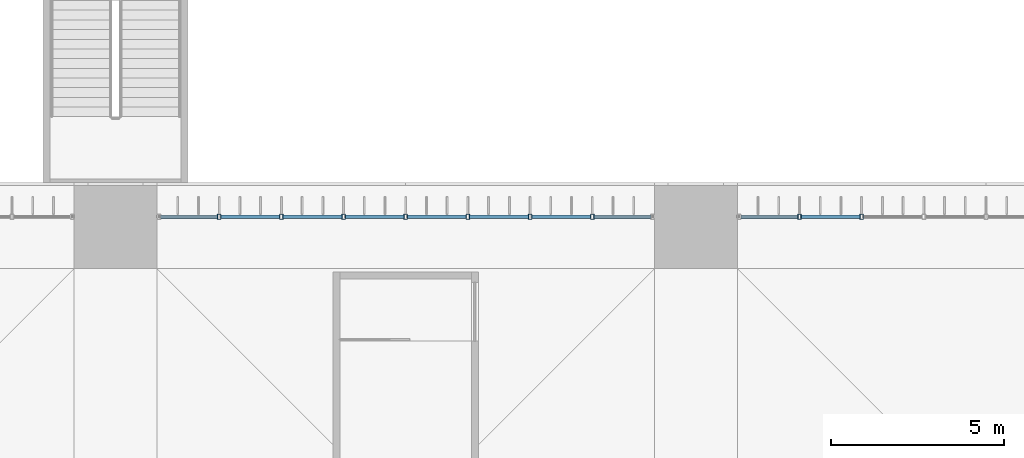
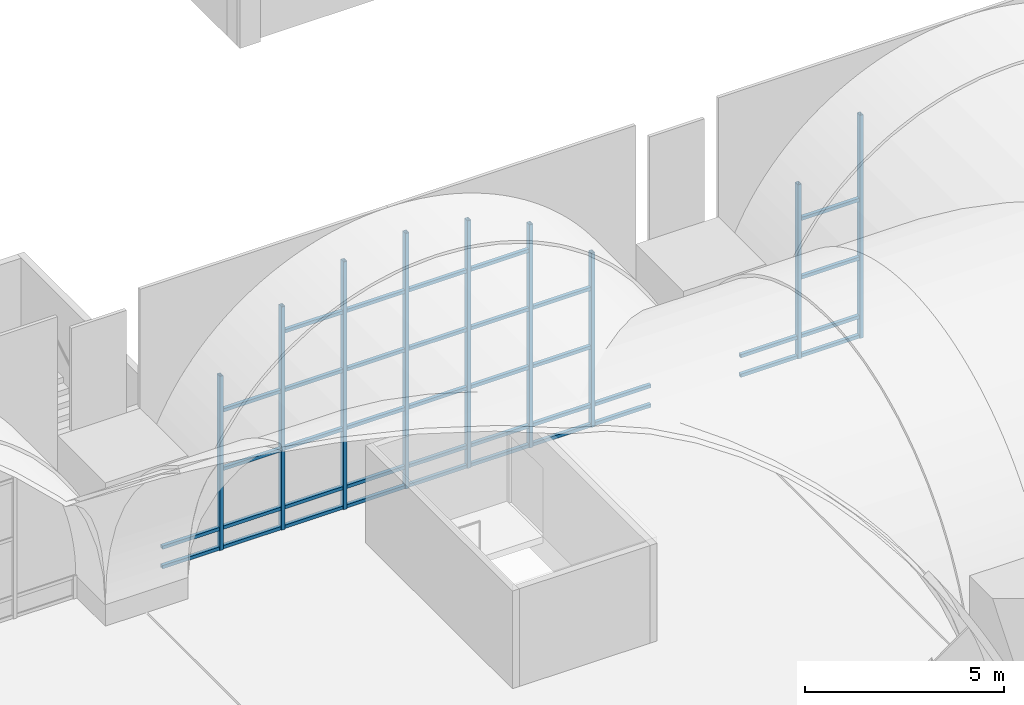
# One storey, part 39 of 169: 47 members, 2 elements without a shape of their own.
"""IFC4 building model written with IfcOpenShell, lengths in metres."""

from ifc_helpers import new_model, si_unit, direction, frame, origin, origin_2d, place, context, subcontext, project, spatial, hollow_rectangle, extrude, material, layer, layer_set, material_profile, profile_set, type_object, element, aggregate, save


model = new_model("IFC4")

# Units and contexts
model_context = context("Model", 3, precision=1e-05, world=origin(), true_north=direction((0.0, 1.0)))
body_context = subcontext(model_context, "Body", "Model", "MODEL_VIEW")
ifc_project = project(units=[si_unit("LENGTHUNIT", "METRE"), si_unit("AREAUNIT", "SQUARE_METRE"), si_unit("VOLUMEUNIT", "CUBIC_METRE"), si_unit("PLANEANGLEUNIT", "RADIAN"), si_unit("MASSUNIT", "GRAM", prefix="KILO")], contexts=[model_context])

# Site, building, storey
site_placement = place(None, origin())
site = spatial("IfcSite", under=ifc_project, at=site_placement, CompositionType="ELEMENT")
building_placement = place(site_placement, origin())
building = spatial("IfcBuilding", under=site, at=building_placement, Name="Verrick Yard Athletic Hall", CompositionType="ELEMENT")
storey_placement = place(building_placement, frame((0.0, 0.0, 4.39990234375)))
storey = spatial("IfcBuildingStorey", under=building, at=storey_placement, Name="L01", CompositionType="ELEMENT", Elevation=4.39990234375)

# Curtain wall, members
ifc_material_1 = material(Name="Aluminium and glass curtain wall", Category="aluminium")
ifc_layer = layer(ifc_material_1, 0.14990234375)
ifc_layer_set = layer_set([ifc_layer], Name="Arcade glazing arch")
curtain_wall_type = type_object("IfcCurtainWallType", Name="Arcade glazing arch", PredefinedType="NOTDEFINED", material=ifc_layer_set)
curtain_wall_1_placement = place(storey_placement, origin())
curtain_wall_1 = element("IfcCurtainWall", 1, at=curtain_wall_1_placement, inside=storey, type_object=curtain_wall_type, Name="Arcade glazing N3", PredefinedType="NOTDEFINED")
ifc_material_2 = material(Name="Structural steel HSS Class C 350W (CSA G40.20/G40.21)", Category="steel")
ifc_material_profile_1 = material_profile(ifc_material_2, hollow_rectangle(XDim=0.1015625, YDim=0.15234375, WallThickness=0.008056640625, at=origin_2d()), Name="HSS152x102x7.9")
ifc_profile_set_1 = profile_set([ifc_material_profile_1], Name="Structural steel HSS Class C 350W (CSA G40.20/G40.21)")
member_type_1 = type_object("IfcMemberType", Name="Curtain wall mullion HSS152x102x7.9", PredefinedType="MULLION", material=ifc_profile_set_1)
member_1_placement = place(storey_placement, frame((76.60009765625, 53.10009765625, 0.0), z_axis=(0.0, 0.0, 1.0), x_axis=(1.0, 0.0, 0.0)))
member_1 = element("IfcMember", 2, at=member_1_placement, type_object=member_type_1, Name="Arcade glazing N3 mullion 2", PredefinedType="MULLION", context=body_context, shape_type="SweptSolid", body=[
    extrude(hollow_rectangle(XDim=0.1015625, YDim=0.15234375, WallThickness=0.008056640625, at=origin_2d()), origin(), (0.0, 0.0, 1.0), 5.351806640625),
])
member_2_placement = place(storey_placement, frame((78.39990234375, 53.10009765625, 0.0), z_axis=(0.0, 0.0, 1.0), x_axis=(1.0, 0.0, 0.0)))
member_2 = element("IfcMember", 3, at=member_2_placement, type_object=member_type_1, Name="Arcade glazing N3 mullion 3", PredefinedType="MULLION", context=body_context, shape_type="SweptSolid", body=[
    extrude(hollow_rectangle(XDim=0.1015625, YDim=0.15234375, WallThickness=0.008056640625, at=origin_2d()), origin(), (0.0, 0.0, 1.0), 6.8544921875),
])
member_3_placement = place(storey_placement, frame((80.199951171875, 53.10009765625, 0.0), z_axis=(0.0, 0.0, 1.0), x_axis=(1.0, 0.0, 0.0)))
member_3 = element("IfcMember", 4, at=member_3_placement, type_object=member_type_1, Name="Arcade glazing N3 mullion 4", PredefinedType="MULLION", context=body_context, shape_type="SweptSolid", body=[
    extrude(hollow_rectangle(XDim=0.1015625, YDim=0.15234375, WallThickness=0.008056640625, at=origin_2d()), origin(), (0.0, 0.0, 1.0), 7.607666015625),
])
member_4_placement = place(storey_placement, frame((82.0, 53.10009765625, 0.0), z_axis=(0.0, 0.0, 1.0), x_axis=(1.0, 0.0, 0.0)))
member_4 = element("IfcMember", 5, at=member_4_placement, type_object=member_type_1, Name="Arcade glazing N3 mullion 5", PredefinedType="MULLION", context=body_context, shape_type="SweptSolid", body=[
    extrude(hollow_rectangle(XDim=0.1015625, YDim=0.15234375, WallThickness=0.008056640625, at=origin_2d()), origin(), (0.0, 0.0, 1.0), 7.8486328125),
])
member_5_placement = place(storey_placement, frame((83.800048828125, 53.10009765625, 0.0), z_axis=(0.0, 0.0, 1.0), x_axis=(1.0, 0.0, 0.0)))
member_5 = element("IfcMember", 6, at=member_5_placement, type_object=member_type_1, Name="Arcade glazing N3 mullion 6", PredefinedType="MULLION", context=body_context, shape_type="SweptSolid", body=[
    extrude(hollow_rectangle(XDim=0.1015625, YDim=0.15234375, WallThickness=0.008056640625, at=origin_2d()), origin(), (0.0, 0.0, 1.0), 7.607666015625),
])
member_6_placement = place(storey_placement, frame((85.60009765625, 53.10009765625, 0.0), z_axis=(0.0, 0.0, 1.0), x_axis=(1.0, 0.0, 0.0)))
member_6 = element("IfcMember", 7, at=member_6_placement, type_object=member_type_1, Name="Arcade glazing N3 mullion 7", PredefinedType="MULLION", context=body_context, shape_type="SweptSolid", body=[
    extrude(hollow_rectangle(XDim=0.1015625, YDim=0.15234375, WallThickness=0.008056640625, at=origin_2d()), origin(), (0.0, 0.0, 1.0), 6.8544921875),
])
member_7_placement = place(storey_placement, frame((87.39990234375, 53.10009765625, 0.0), z_axis=(0.0, 0.0, 1.0), x_axis=(1.0, 0.0, 0.0)))
member_7 = element("IfcMember", 8, at=member_7_placement, type_object=member_type_1, Name="Arcade glazing N3 mullion 8", PredefinedType="MULLION", context=body_context, shape_type="SweptSolid", body=[
    extrude(hollow_rectangle(XDim=0.1015625, YDim=0.15234375, WallThickness=0.008056640625, at=origin_2d()), origin(), (0.0, 0.0, 1.0), 5.351806640625),
])

curtain_wall_2_placement = place(storey_placement, origin())
curtain_wall_2 = element("IfcCurtainWall", 9, at=curtain_wall_2_placement, inside=storey, type_object=curtain_wall_type, Name="Arcade glazing N4", PredefinedType="NOTDEFINED")
member_8_placement = place(storey_placement, frame((93.39990234375, 53.10009765625, 0.0), z_axis=(0.0, 0.0, 1.0), x_axis=(1.0, 0.0, 0.0)))
member_8 = element("IfcMember", 10, at=member_8_placement, type_object=member_type_1, Name="Arcade glazing N4 mullion 2", PredefinedType="MULLION", context=body_context, shape_type="SweptSolid", body=[
    extrude(hollow_rectangle(XDim=0.1015625, YDim=0.15234375, WallThickness=0.008056640625, at=origin_2d()), origin(), (0.0, 0.0, 1.0), 5.351806640625),
])
member_9_placement = place(storey_placement, frame((95.199951171875, 53.10009765625, 0.0), z_axis=(0.0, 0.0, 1.0), x_axis=(1.0, 0.0, 0.0)))
member_9 = element("IfcMember", 11, at=member_9_placement, type_object=member_type_1, Name="Arcade glazing N4 mullion 3", PredefinedType="MULLION", context=body_context, shape_type="SweptSolid", body=[
    extrude(hollow_rectangle(XDim=0.1015625, YDim=0.15234375, WallThickness=0.008056640625, at=origin_2d()), origin(), (0.0, 0.0, 1.0), 6.8544921875),
])

# Member
ifc_material_profile_2 = material_profile(ifc_material_2, hollow_rectangle(XDim=0.1015625, YDim=0.1015625, WallThickness=0.00634765625, at=origin_2d()), Name="HSS102x102x6.4")
ifc_profile_set_2 = profile_set([ifc_material_profile_2], Name="Structural steel HSS Class C 350W (CSA G40.20/G40.21)")
member_type_2 = type_object("IfcMemberType", Name="Curtain wall transom HSS102x102x6.4", PredefinedType="USERDEFINED", material=ifc_profile_set_2)
member_10_placement = place(storey_placement, frame((74.902099609375, 53.10009765625, 0.05078125), z_axis=(1.0, 0.0, 0.0), x_axis=(0.0, 1.0, 0.0)))
member_10 = element("IfcMember", 12, at=member_10_placement, type_object=member_type_2, Name="Arcade glazing N3 transom 1", ObjectType="TRANSOM", PredefinedType="USERDEFINED", context=body_context, shape_type="SweptSolid", body=[
    extrude(hollow_rectangle(XDim=0.1015625, YDim=0.1015625, WallThickness=0.00634765625, at=origin_2d()), origin(), (0.0, 0.0, 1.0), 1.647216796875),
])

member_11_placement = place(storey_placement, frame((74.902099609375, 53.10009765625, 0.650146484375), z_axis=(1.0, 0.0, 0.0), x_axis=(0.0, 1.0, 0.0)))
member_11 = element("IfcMember", 13, at=member_11_placement, type_object=member_type_2, Name="Arcade glazing N3 transom 2", ObjectType="TRANSOM", PredefinedType="USERDEFINED", context=body_context, shape_type="SweptSolid", body=[
    extrude(hollow_rectangle(XDim=0.1015625, YDim=0.1015625, WallThickness=0.00634765625, at=origin_2d()), origin(), (0.0, 0.0, 1.0), 1.647216796875),
])

member_12_placement = place(storey_placement, frame((76.65087890625, 53.10009765625, 0.05078125), z_axis=(1.0, 0.0, 0.0), x_axis=(0.0, 1.0, 0.0)))
member_12 = element("IfcMember", 14, at=member_12_placement, type_object=member_type_2, Name="Arcade glazing N3 transom 3", ObjectType="TRANSOM", PredefinedType="USERDEFINED", context=body_context, shape_type="SweptSolid", body=[
    extrude(hollow_rectangle(XDim=0.1015625, YDim=0.1015625, WallThickness=0.00634765625, at=origin_2d()), origin(), (0.0, 0.0, 1.0), 1.6982421875),
])

member_13_placement = place(storey_placement, frame((76.65087890625, 53.10009765625, 0.650146484375), z_axis=(1.0, 0.0, 0.0), x_axis=(0.0, 1.0, 0.0)))
member_13 = element("IfcMember", 15, at=member_13_placement, type_object=member_type_2, Name="Arcade glazing N3 transom 4", ObjectType="TRANSOM", PredefinedType="USERDEFINED", context=body_context, shape_type="SweptSolid", body=[
    extrude(hollow_rectangle(XDim=0.1015625, YDim=0.1015625, WallThickness=0.00634765625, at=origin_2d()), origin(), (0.0, 0.0, 1.0), 1.6982421875),
])

member_14_placement = place(storey_placement, frame((76.65087890625, 53.10009765625, 2.4501953125), z_axis=(1.0, 0.0, 0.0), x_axis=(0.0, 1.0, 0.0)))
member_14 = element("IfcMember", 16, at=member_14_placement, type_object=member_type_2, Name="Arcade glazing N3 transom 5", ObjectType="TRANSOM", PredefinedType="USERDEFINED", context=body_context, shape_type="SweptSolid", body=[
    extrude(hollow_rectangle(XDim=0.1015625, YDim=0.1015625, WallThickness=0.00634765625, at=origin_2d()), origin(), (0.0, 0.0, 1.0), 1.6982421875),
])

member_15_placement = place(storey_placement, frame((76.65087890625, 53.10009765625, 4.25), z_axis=(1.0, 0.0, 0.0), x_axis=(0.0, 1.0, 0.0)))
member_15 = element("IfcMember", 17, at=member_15_placement, type_object=member_type_2, Name="Arcade glazing N3 transom 6", ObjectType="TRANSOM", PredefinedType="USERDEFINED", context=body_context, shape_type="SweptSolid", body=[
    extrude(hollow_rectangle(XDim=0.1015625, YDim=0.1015625, WallThickness=0.00634765625, at=origin_2d()), origin(), (0.0, 0.0, 1.0), 1.6982421875),
])

member_16_placement = place(storey_placement, frame((78.45068359375, 53.10009765625, 0.05078125), z_axis=(1.0, 0.0, 0.0), x_axis=(0.0, 1.0, 0.0)))
member_16 = element("IfcMember", 18, at=member_16_placement, type_object=member_type_2, Name="Arcade glazing N3 transom 7", ObjectType="TRANSOM", PredefinedType="USERDEFINED", context=body_context, shape_type="SweptSolid", body=[
    extrude(hollow_rectangle(XDim=0.1015625, YDim=0.1015625, WallThickness=0.00634765625, at=origin_2d()), origin(), (0.0, 0.0, 1.0), 1.698486328125),
])

member_17_placement = place(storey_placement, frame((78.45068359375, 53.10009765625, 0.650146484375), z_axis=(1.0, 0.0, 0.0), x_axis=(0.0, 1.0, 0.0)))
member_17 = element("IfcMember", 19, at=member_17_placement, type_object=member_type_2, Name="Arcade glazing N3 transom 8", ObjectType="TRANSOM", PredefinedType="USERDEFINED", context=body_context, shape_type="SweptSolid", body=[
    extrude(hollow_rectangle(XDim=0.1015625, YDim=0.1015625, WallThickness=0.00634765625, at=origin_2d()), origin(), (0.0, 0.0, 1.0), 1.698486328125),
])

member_18_placement = place(storey_placement, frame((78.45068359375, 53.10009765625, 2.4501953125), z_axis=(1.0, 0.0, 0.0), x_axis=(0.0, 1.0, 0.0)))
member_18 = element("IfcMember", 20, at=member_18_placement, type_object=member_type_2, Name="Arcade glazing N3 transom 9", ObjectType="TRANSOM", PredefinedType="USERDEFINED", context=body_context, shape_type="SweptSolid", body=[
    extrude(hollow_rectangle(XDim=0.1015625, YDim=0.1015625, WallThickness=0.00634765625, at=origin_2d()), origin(), (0.0, 0.0, 1.0), 1.698486328125),
])

member_19_placement = place(storey_placement, frame((78.45068359375, 53.10009765625, 4.25), z_axis=(1.0, 0.0, 0.0), x_axis=(0.0, 1.0, 0.0)))
member_19 = element("IfcMember", 21, at=member_19_placement, type_object=member_type_2, Name="Arcade glazing N3 transom 10", ObjectType="TRANSOM", PredefinedType="USERDEFINED", context=body_context, shape_type="SweptSolid", body=[
    extrude(hollow_rectangle(XDim=0.1015625, YDim=0.1015625, WallThickness=0.00634765625, at=origin_2d()), origin(), (0.0, 0.0, 1.0), 1.698486328125),
])

member_20_placement = place(storey_placement, frame((78.45068359375, 53.10009765625, 6.050048828125), z_axis=(1.0, 0.0, 0.0), x_axis=(0.0, 1.0, 0.0)))
member_20 = element("IfcMember", 22, at=member_20_placement, type_object=member_type_2, Name="Arcade glazing N3 transom 11", ObjectType="TRANSOM", PredefinedType="USERDEFINED", context=body_context, shape_type="SweptSolid", body=[
    extrude(hollow_rectangle(XDim=0.1015625, YDim=0.1015625, WallThickness=0.00634765625, at=origin_2d()), origin(), (0.0, 0.0, 1.0), 1.698486328125),
])

member_21_placement = place(storey_placement, frame((80.250732421875, 53.10009765625, 0.05078125), z_axis=(1.0, 0.0, 0.0), x_axis=(0.0, 1.0, 0.0)))
member_21 = element("IfcMember", 23, at=member_21_placement, type_object=member_type_2, Name="Arcade glazing N3 transom 12", ObjectType="TRANSOM", PredefinedType="USERDEFINED", context=body_context, shape_type="SweptSolid", body=[
    extrude(hollow_rectangle(XDim=0.1015625, YDim=0.1015625, WallThickness=0.00634765625, at=origin_2d()), origin(), (0.0, 0.0, 1.0), 1.698486328125),
])

member_22_placement = place(storey_placement, frame((80.250732421875, 53.10009765625, 0.650146484375), z_axis=(1.0, 0.0, 0.0), x_axis=(0.0, 1.0, 0.0)))
member_22 = element("IfcMember", 24, at=member_22_placement, type_object=member_type_2, Name="Arcade glazing N3 transom 13", ObjectType="TRANSOM", PredefinedType="USERDEFINED", context=body_context, shape_type="SweptSolid", body=[
    extrude(hollow_rectangle(XDim=0.1015625, YDim=0.1015625, WallThickness=0.00634765625, at=origin_2d()), origin(), (0.0, 0.0, 1.0), 1.698486328125),
])

member_23_placement = place(storey_placement, frame((80.250732421875, 53.10009765625, 2.4501953125), z_axis=(1.0, 0.0, 0.0), x_axis=(0.0, 1.0, 0.0)))
member_23 = element("IfcMember", 25, at=member_23_placement, type_object=member_type_2, Name="Arcade glazing N3 transom 14", ObjectType="TRANSOM", PredefinedType="USERDEFINED", context=body_context, shape_type="SweptSolid", body=[
    extrude(hollow_rectangle(XDim=0.1015625, YDim=0.1015625, WallThickness=0.00634765625, at=origin_2d()), origin(), (0.0, 0.0, 1.0), 1.698486328125),
])

member_24_placement = place(storey_placement, frame((80.250732421875, 53.10009765625, 4.25), z_axis=(1.0, 0.0, 0.0), x_axis=(0.0, 1.0, 0.0)))
member_24 = element("IfcMember", 26, at=member_24_placement, type_object=member_type_2, Name="Arcade glazing N3 transom 15", ObjectType="TRANSOM", PredefinedType="USERDEFINED", context=body_context, shape_type="SweptSolid", body=[
    extrude(hollow_rectangle(XDim=0.1015625, YDim=0.1015625, WallThickness=0.00634765625, at=origin_2d()), origin(), (0.0, 0.0, 1.0), 1.698486328125),
])

member_25_placement = place(storey_placement, frame((80.250732421875, 53.10009765625, 6.050048828125), z_axis=(1.0, 0.0, 0.0), x_axis=(0.0, 1.0, 0.0)))
member_25 = element("IfcMember", 27, at=member_25_placement, type_object=member_type_2, Name="Arcade glazing N3 transom 16", ObjectType="TRANSOM", PredefinedType="USERDEFINED", context=body_context, shape_type="SweptSolid", body=[
    extrude(hollow_rectangle(XDim=0.1015625, YDim=0.1015625, WallThickness=0.00634765625, at=origin_2d()), origin(), (0.0, 0.0, 1.0), 1.698486328125),
])

member_26_placement = place(storey_placement, frame((82.05078125, 53.10009765625, 0.05078125), z_axis=(1.0, 0.0, 0.0), x_axis=(0.0, 1.0, 0.0)))
member_26 = element("IfcMember", 28, at=member_26_placement, type_object=member_type_2, Name="Arcade glazing N3 transom 17", ObjectType="TRANSOM", PredefinedType="USERDEFINED", context=body_context, shape_type="SweptSolid", body=[
    extrude(hollow_rectangle(XDim=0.1015625, YDim=0.1015625, WallThickness=0.00634765625, at=origin_2d()), origin(), (0.0, 0.0, 1.0), 1.698486328125),
])

member_27_placement = place(storey_placement, frame((82.05078125, 53.10009765625, 0.650146484375), z_axis=(1.0, 0.0, 0.0), x_axis=(0.0, 1.0, 0.0)))
member_27 = element("IfcMember", 29, at=member_27_placement, type_object=member_type_2, Name="Arcade glazing N3 transom 18", ObjectType="TRANSOM", PredefinedType="USERDEFINED", context=body_context, shape_type="SweptSolid", body=[
    extrude(hollow_rectangle(XDim=0.1015625, YDim=0.1015625, WallThickness=0.00634765625, at=origin_2d()), origin(), (0.0, 0.0, 1.0), 1.698486328125),
])

member_28_placement = place(storey_placement, frame((82.05078125, 53.10009765625, 2.4501953125), z_axis=(1.0, 0.0, 0.0), x_axis=(0.0, 1.0, 0.0)))
member_28 = element("IfcMember", 30, at=member_28_placement, type_object=member_type_2, Name="Arcade glazing N3 transom 19", ObjectType="TRANSOM", PredefinedType="USERDEFINED", context=body_context, shape_type="SweptSolid", body=[
    extrude(hollow_rectangle(XDim=0.1015625, YDim=0.1015625, WallThickness=0.00634765625, at=origin_2d()), origin(), (0.0, 0.0, 1.0), 1.698486328125),
])

member_29_placement = place(storey_placement, frame((82.05078125, 53.10009765625, 4.25), z_axis=(1.0, 0.0, 0.0), x_axis=(0.0, 1.0, 0.0)))
member_29 = element("IfcMember", 31, at=member_29_placement, type_object=member_type_2, Name="Arcade glazing N3 transom 20", ObjectType="TRANSOM", PredefinedType="USERDEFINED", context=body_context, shape_type="SweptSolid", body=[
    extrude(hollow_rectangle(XDim=0.1015625, YDim=0.1015625, WallThickness=0.00634765625, at=origin_2d()), origin(), (0.0, 0.0, 1.0), 1.698486328125),
])

member_30_placement = place(storey_placement, frame((82.05078125, 53.10009765625, 6.050048828125), z_axis=(1.0, 0.0, 0.0), x_axis=(0.0, 1.0, 0.0)))
member_30 = element("IfcMember", 32, at=member_30_placement, type_object=member_type_2, Name="Arcade glazing N3 transom 21", ObjectType="TRANSOM", PredefinedType="USERDEFINED", context=body_context, shape_type="SweptSolid", body=[
    extrude(hollow_rectangle(XDim=0.1015625, YDim=0.1015625, WallThickness=0.00634765625, at=origin_2d()), origin(), (0.0, 0.0, 1.0), 1.698486328125),
])

member_31_placement = place(storey_placement, frame((83.850830078125, 53.10009765625, 0.05078125), z_axis=(1.0, 0.0, 0.0), x_axis=(0.0, 1.0, 0.0)))
member_31 = element("IfcMember", 33, at=member_31_placement, type_object=member_type_2, Name="Arcade glazing N3 transom 22", ObjectType="TRANSOM", PredefinedType="USERDEFINED", context=body_context, shape_type="SweptSolid", body=[
    extrude(hollow_rectangle(XDim=0.1015625, YDim=0.1015625, WallThickness=0.00634765625, at=origin_2d()), origin(), (0.0, 0.0, 1.0), 1.698486328125),
])

member_32_placement = place(storey_placement, frame((83.850830078125, 53.10009765625, 0.650146484375), z_axis=(1.0, 0.0, 0.0), x_axis=(0.0, 1.0, 0.0)))
member_32 = element("IfcMember", 34, at=member_32_placement, type_object=member_type_2, Name="Arcade glazing N3 transom 23", ObjectType="TRANSOM", PredefinedType="USERDEFINED", context=body_context, shape_type="SweptSolid", body=[
    extrude(hollow_rectangle(XDim=0.1015625, YDim=0.1015625, WallThickness=0.00634765625, at=origin_2d()), origin(), (0.0, 0.0, 1.0), 1.698486328125),
])

member_33_placement = place(storey_placement, frame((83.850830078125, 53.10009765625, 2.4501953125), z_axis=(1.0, 0.0, 0.0), x_axis=(0.0, 1.0, 0.0)))
member_33 = element("IfcMember", 35, at=member_33_placement, type_object=member_type_2, Name="Arcade glazing N3 transom 24", ObjectType="TRANSOM", PredefinedType="USERDEFINED", context=body_context, shape_type="SweptSolid", body=[
    extrude(hollow_rectangle(XDim=0.1015625, YDim=0.1015625, WallThickness=0.00634765625, at=origin_2d()), origin(), (0.0, 0.0, 1.0), 1.698486328125),
])

member_34_placement = place(storey_placement, frame((83.850830078125, 53.10009765625, 4.25), z_axis=(1.0, 0.0, 0.0), x_axis=(0.0, 1.0, 0.0)))
member_34 = element("IfcMember", 36, at=member_34_placement, type_object=member_type_2, Name="Arcade glazing N3 transom 25", ObjectType="TRANSOM", PredefinedType="USERDEFINED", context=body_context, shape_type="SweptSolid", body=[
    extrude(hollow_rectangle(XDim=0.1015625, YDim=0.1015625, WallThickness=0.00634765625, at=origin_2d()), origin(), (0.0, 0.0, 1.0), 1.698486328125),
])

member_35_placement = place(storey_placement, frame((83.850830078125, 53.10009765625, 6.050048828125), z_axis=(1.0, 0.0, 0.0), x_axis=(0.0, 1.0, 0.0)))
member_35 = element("IfcMember", 37, at=member_35_placement, type_object=member_type_2, Name="Arcade glazing N3 transom 26", ObjectType="TRANSOM", PredefinedType="USERDEFINED", context=body_context, shape_type="SweptSolid", body=[
    extrude(hollow_rectangle(XDim=0.1015625, YDim=0.1015625, WallThickness=0.00634765625, at=origin_2d()), origin(), (0.0, 0.0, 1.0), 1.698486328125),
])

member_36_placement = place(storey_placement, frame((85.65087890625, 53.10009765625, 0.05078125), z_axis=(1.0, 0.0, 0.0), x_axis=(0.0, 1.0, 0.0)))
member_36 = element("IfcMember", 38, at=member_36_placement, type_object=member_type_2, Name="Arcade glazing N3 transom 27", ObjectType="TRANSOM", PredefinedType="USERDEFINED", context=body_context, shape_type="SweptSolid", body=[
    extrude(hollow_rectangle(XDim=0.1015625, YDim=0.1015625, WallThickness=0.00634765625, at=origin_2d()), origin(), (0.0, 0.0, 1.0), 1.6982421875),
])

member_37_placement = place(storey_placement, frame((85.65087890625, 53.10009765625, 0.650146484375), z_axis=(1.0, 0.0, 0.0), x_axis=(0.0, 1.0, 0.0)))
member_37 = element("IfcMember", 39, at=member_37_placement, type_object=member_type_2, Name="Arcade glazing N3 transom 28", ObjectType="TRANSOM", PredefinedType="USERDEFINED", context=body_context, shape_type="SweptSolid", body=[
    extrude(hollow_rectangle(XDim=0.1015625, YDim=0.1015625, WallThickness=0.00634765625, at=origin_2d()), origin(), (0.0, 0.0, 1.0), 1.6982421875),
])

member_38_placement = place(storey_placement, frame((85.65087890625, 53.10009765625, 2.4501953125), z_axis=(1.0, 0.0, 0.0), x_axis=(0.0, 1.0, 0.0)))
member_38 = element("IfcMember", 40, at=member_38_placement, type_object=member_type_2, Name="Arcade glazing N3 transom 29", ObjectType="TRANSOM", PredefinedType="USERDEFINED", context=body_context, shape_type="SweptSolid", body=[
    extrude(hollow_rectangle(XDim=0.1015625, YDim=0.1015625, WallThickness=0.00634765625, at=origin_2d()), origin(), (0.0, 0.0, 1.0), 1.6982421875),
])

member_39_placement = place(storey_placement, frame((85.65087890625, 53.10009765625, 4.25), z_axis=(1.0, 0.0, 0.0), x_axis=(0.0, 1.0, 0.0)))
member_39 = element("IfcMember", 41, at=member_39_placement, type_object=member_type_2, Name="Arcade glazing N3 transom 30", ObjectType="TRANSOM", PredefinedType="USERDEFINED", context=body_context, shape_type="SweptSolid", body=[
    extrude(hollow_rectangle(XDim=0.1015625, YDim=0.1015625, WallThickness=0.00634765625, at=origin_2d()), origin(), (0.0, 0.0, 1.0), 1.6982421875),
])

member_40_placement = place(storey_placement, frame((87.45068359375, 53.10009765625, 0.05078125), z_axis=(1.0, 0.0, 0.0), x_axis=(0.0, 1.0, 0.0)))
member_40 = element("IfcMember", 42, at=member_40_placement, type_object=member_type_2, Name="Arcade glazing N3 transom 31", ObjectType="TRANSOM", PredefinedType="USERDEFINED", context=body_context, shape_type="SweptSolid", body=[
    extrude(hollow_rectangle(XDim=0.1015625, YDim=0.1015625, WallThickness=0.00634765625, at=origin_2d()), origin(), (0.0, 0.0, 1.0), 1.647216796875),
])

member_41_placement = place(storey_placement, frame((87.45068359375, 53.10009765625, 0.650146484375), z_axis=(1.0, 0.0, 0.0), x_axis=(0.0, 1.0, 0.0)))
member_41 = element("IfcMember", 43, at=member_41_placement, type_object=member_type_2, Name="Arcade glazing N3 transom 32", ObjectType="TRANSOM", PredefinedType="USERDEFINED", context=body_context, shape_type="SweptSolid", body=[
    extrude(hollow_rectangle(XDim=0.1015625, YDim=0.1015625, WallThickness=0.00634765625, at=origin_2d()), origin(), (0.0, 0.0, 1.0), 1.647216796875),
])

aggregate(curtain_wall_1, [member_1, member_2, member_3, member_4, member_5, member_6, member_7, member_10, member_11, member_12, member_13, member_14, member_15, member_16, member_17, member_18, member_19, member_20, member_21, member_22, member_23, member_24, member_25, member_26, member_27, member_28, member_29, member_30, member_31, member_32, member_33, member_34, member_35, member_36, member_37, member_38, member_39, member_40, member_41])

member_42_placement = place(storey_placement, frame((91.7021484375, 53.10009765625, 0.05078125), z_axis=(1.0, 0.0, 0.0), x_axis=(0.0, 1.0, 0.0)))
member_42 = element("IfcMember", 44, at=member_42_placement, type_object=member_type_2, Name="Arcade glazing N4 transom 1", ObjectType="TRANSOM", PredefinedType="USERDEFINED", context=body_context, shape_type="SweptSolid", body=[
    extrude(hollow_rectangle(XDim=0.1015625, YDim=0.1015625, WallThickness=0.00634765625, at=origin_2d()), origin(), (0.0, 0.0, 1.0), 1.64697265625),
])

member_43_placement = place(storey_placement, frame((91.7021484375, 53.10009765625, 0.650146484375), z_axis=(1.0, 0.0, 0.0), x_axis=(0.0, 1.0, 0.0)))
member_43 = element("IfcMember", 45, at=member_43_placement, type_object=member_type_2, Name="Arcade glazing N4 transom 2", ObjectType="TRANSOM", PredefinedType="USERDEFINED", context=body_context, shape_type="SweptSolid", body=[
    extrude(hollow_rectangle(XDim=0.1015625, YDim=0.1015625, WallThickness=0.00634765625, at=origin_2d()), origin(), (0.0, 0.0, 1.0), 1.64697265625),
])

member_44_placement = place(storey_placement, frame((93.45068359375, 53.10009765625, 0.05078125), z_axis=(1.0, 0.0, 0.0), x_axis=(0.0, 1.0, 0.0)))
member_44 = element("IfcMember", 46, at=member_44_placement, type_object=member_type_2, Name="Arcade glazing N4 transom 3", ObjectType="TRANSOM", PredefinedType="USERDEFINED", context=body_context, shape_type="SweptSolid", body=[
    extrude(hollow_rectangle(XDim=0.1015625, YDim=0.1015625, WallThickness=0.00634765625, at=origin_2d()), origin(), (0.0, 0.0, 1.0), 1.698486328125),
])

member_45_placement = place(storey_placement, frame((93.45068359375, 53.10009765625, 0.650146484375), z_axis=(1.0, 0.0, 0.0), x_axis=(0.0, 1.0, 0.0)))
member_45 = element("IfcMember", 47, at=member_45_placement, type_object=member_type_2, Name="Arcade glazing N4 transom 4", ObjectType="TRANSOM", PredefinedType="USERDEFINED", context=body_context, shape_type="SweptSolid", body=[
    extrude(hollow_rectangle(XDim=0.1015625, YDim=0.1015625, WallThickness=0.00634765625, at=origin_2d()), origin(), (0.0, 0.0, 1.0), 1.698486328125),
])

member_46_placement = place(storey_placement, frame((93.45068359375, 53.10009765625, 2.4501953125), z_axis=(1.0, 0.0, 0.0), x_axis=(0.0, 1.0, 0.0)))
member_46 = element("IfcMember", 48, at=member_46_placement, type_object=member_type_2, Name="Arcade glazing N4 transom 5", ObjectType="TRANSOM", PredefinedType="USERDEFINED", context=body_context, shape_type="SweptSolid", body=[
    extrude(hollow_rectangle(XDim=0.1015625, YDim=0.1015625, WallThickness=0.00634765625, at=origin_2d()), origin(), (0.0, 0.0, 1.0), 1.698486328125),
])

member_47_placement = place(storey_placement, frame((93.45068359375, 53.10009765625, 4.25), z_axis=(1.0, 0.0, 0.0), x_axis=(0.0, 1.0, 0.0)))
member_47 = element("IfcMember", 49, at=member_47_placement, type_object=member_type_2, Name="Arcade glazing N4 transom 6", ObjectType="TRANSOM", PredefinedType="USERDEFINED", context=body_context, shape_type="SweptSolid", body=[
    extrude(hollow_rectangle(XDim=0.1015625, YDim=0.1015625, WallThickness=0.00634765625, at=origin_2d()), origin(), (0.0, 0.0, 1.0), 1.698486328125),
])

aggregate(curtain_wall_2, [member_8, member_9, member_42, member_43, member_44, member_45, member_46, member_47])

save(model, "model.ifc")
